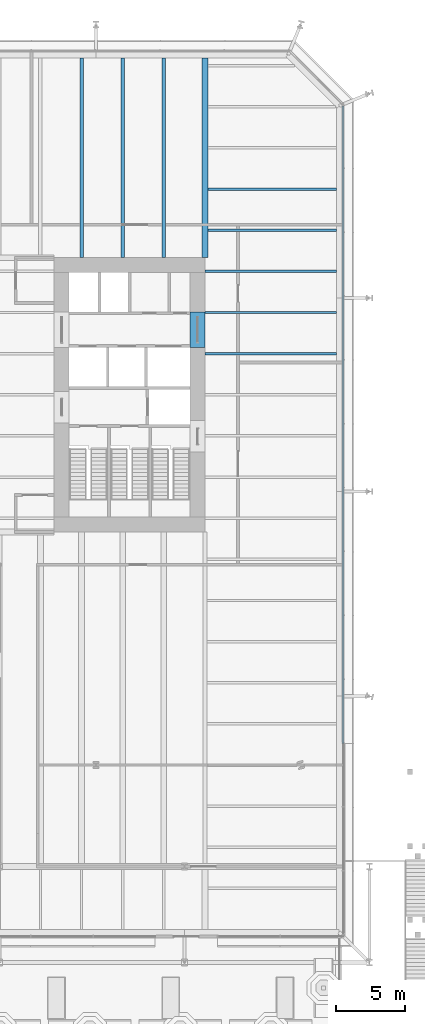
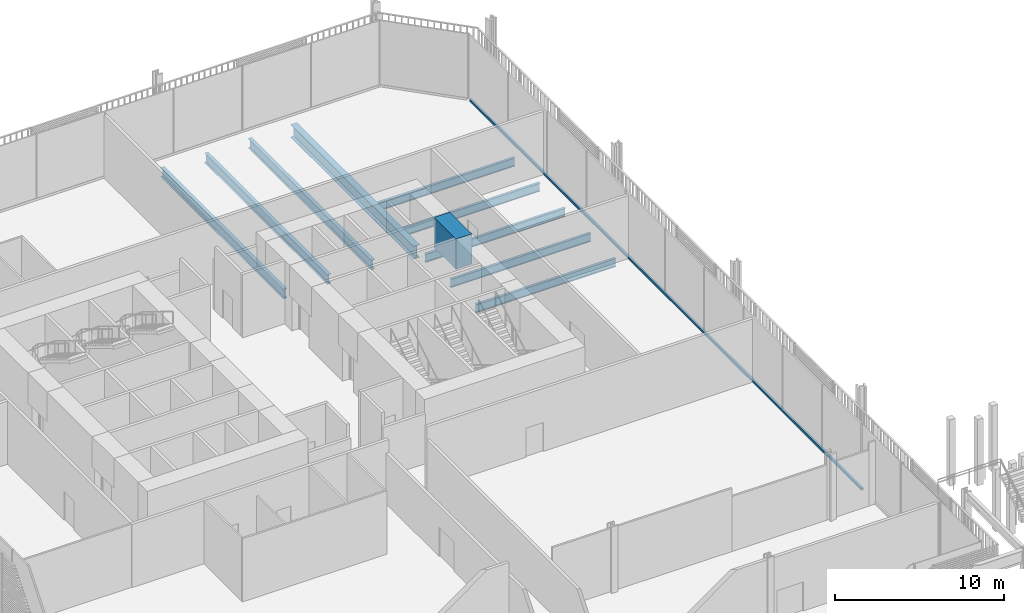
# One storey, part 12 of 25: 10 beams, 1 member, 1 element without a shape of its own.
"""IFC4 building model written with IfcOpenShell, lengths in metres."""

import ifcopenshell
import ifcopenshell.guid

model = None  # the IFC model being written
_history = None  # IfcOwnerHistory: only IFC2X3 demands one
_inside = {}  # id of a spatial element -> (the spatial element, [elements in it])
_under = {}  # id of a project, library or spatial element -> (it, [spatial elements below it])
_declared = {}  # id of a project -> (the project, [libraries it declares])
_typed = {}  # id of a type object -> (the type object, [elements of that type])
_made_of = {}  # id of a material, layer set ... -> (it, [elements and type objects made of it])


def new_model(schema):
    """Start an empty IFC model of exactly this schema.

    Asked for "IFC4X3", IfcOpenShell would pick the latest addendum, in which some entities
    have other attributes; the version numbers below select the first issue.
    IFC2X3 requires an IfcOwnerHistory on every rooted entity: one is made here for all.
    """
    global model, _history
    if schema == "IFC4X3":
        model = ifcopenshell.file(schema_version=(4, 3, 0, 0))
    else:
        model = ifcopenshell.file(schema=schema)
    _inside.clear()
    _under.clear()
    _declared.clear()
    _typed.clear()
    _made_of.clear()
    _history = None
    if model.schema == "IFC2X3":
        org = make("IfcOrganization", Name="unknown")
        user = make(
            "IfcPersonAndOrganization",
            ThePerson=make("IfcPerson", FamilyName="unknown"),
            TheOrganization=org,
        )
        app = make(
            "IfcApplication",
            ApplicationDeveloper=org,
            Version="unknown",
            ApplicationFullName="unknown",
            ApplicationIdentifier="unknown",
        )
        _history = make(
            "IfcOwnerHistory",
            OwningUser=user,
            OwningApplication=app,
            ChangeAction="ADDED",
            CreationDate=0,
        )
    return model


def make(cls, **values):
    """One entity of the class cls with the attributes given. An attribute that is None is left unset."""
    return model.create_entity(
        cls, **{name: value for name, value in values.items() if value is not None}
    )


def rooted(cls, **values):
    """An entity with a GlobalId (a new one), such as an element, a storey or a relation."""
    return make(cls, GlobalId=ifcopenshell.guid.new(), OwnerHistory=_history, **values)


def si_unit(unit_type, name, prefix=None):
    """IfcSIUnit, for example si_unit("LENGTHUNIT", "METRE", prefix="MILLI")."""
    return make("IfcSIUnit", UnitType=unit_type, Prefix=prefix, Name=name)


def assignment(units):
    """IfcUnitAssignment: the units of a project."""
    return None if units is None else make("IfcUnitAssignment", Units=units)


def point(xyz):
    """IfcCartesianPoint."""
    return None if xyz is None else make("IfcCartesianPoint", Coordinates=xyz)


def direction(xyz):
    """IfcDirection."""
    return None if xyz is None else make("IfcDirection", DirectionRatios=xyz)


def frame(location, z_axis=None, x_axis=None):
    """IfcAxis2Placement3D, a coordinate frame: its origin and axes. An axis left out is left unset."""
    return make(
        "IfcAxis2Placement3D",
        Location=point(location),
        Axis=direction(z_axis),
        RefDirection=direction(x_axis),
    )


def frame_2d(location, x_axis=None):
    """IfcAxis2Placement2D, a coordinate frame in the plane: its origin and x axis."""
    return make(
        "IfcAxis2Placement2D", Location=point(location), RefDirection=direction(x_axis)
    )


def origin():
    """The frame at (0, 0, 0) with its axes left unset."""
    return frame((0.0, 0.0, 0.0))


def origin_2d():
    """The frame at (0, 0) in the plane with its x axis left unset."""
    return frame_2d((0.0, 0.0))


def place(relative_to, where):
    """IfcLocalPlacement: puts the frame where relative to a parent placement (None: the world)."""
    return make(
        "IfcLocalPlacement", PlacementRelTo=relative_to, RelativePlacement=where
    )


def context(
    kind, dimensions, precision=None, world=None, true_north=None, identifier=None
):
    """IfcGeometricRepresentationContext, for example the 3D "Model" context."""
    return make(
        "IfcGeometricRepresentationContext",
        ContextIdentifier=identifier,
        ContextType=kind,
        CoordinateSpaceDimension=dimensions,
        Precision=precision,
        WorldCoordinateSystem=world,
        TrueNorth=true_north,
    )


def subcontext(parent, identifier, kind, view, scale=None):
    """IfcGeometricRepresentationSubContext, for example "Body" below "Model"."""
    return make(
        "IfcGeometricRepresentationSubContext",
        ContextIdentifier=identifier,
        ContextType=kind,
        ParentContext=parent,
        TargetScale=scale,
        TargetView=view,
    )


def project(units=None, contexts=None):
    """IfcProject with its units and contexts."""
    return rooted(
        "IfcProject",
        Name="project",
        RepresentationContexts=contexts,
        UnitsInContext=assignment(units),
    )


def spatial(cls, under=None, at=None, **own):
    """A site, building, storey or space (cls), placed at a placement, below another one or the project."""
    s = rooted(cls, ObjectPlacement=at, **own)
    if under is not None:
        _under.setdefault(under.id(), (under, []))[1].append(s)
    return s


def profile(cls, at=None, kind="AREA", **sizes):
    """A parametric profile (cls). Its sizes go by their IFC names, for example OverallWidth=200.0."""
    return make(cls, ProfileType=kind, Position=at, **sizes)


def rectangle(**sizes):
    """IfcRectangleProfileDef."""
    return profile("IfcRectangleProfileDef", **sizes)


def i_section(**sizes):
    """IfcIShapeProfileDef."""
    return profile("IfcIShapeProfileDef", **sizes)


def extrude(swept, where, along, depth):
    """IfcExtrudedAreaSolid: the profile swept, set in the frame where, extruded along a direction by depth."""
    return make(
        "IfcExtrudedAreaSolid",
        SweptArea=swept,
        Position=where,
        ExtrudedDirection=direction(along),
        Depth=depth,
    )


def shape(context_of_items, identifier, shape_type, items):
    """IfcShapeRepresentation: the items that make up one representation, for example the "Body"."""
    return make(
        "IfcShapeRepresentation",
        ContextOfItems=context_of_items,
        RepresentationIdentifier=identifier,
        RepresentationType=shape_type,
        Items=items,
    )


def material(Name=None, Category=None):
    """IfcMaterial."""
    return make("IfcMaterial", Name=Name, Category=Category)


def layer(
    of_material, thickness, ventilated=None, Name=None, Category=None, Priority=None
):
    """IfcMaterialLayer: one layer of a wall or slab, of a material (None: an air gap)."""
    return make(
        "IfcMaterialLayer",
        Material=of_material,
        LayerThickness=thickness,
        IsVentilated=ventilated,
        Name=Name,
        Category=Category,
        Priority=Priority,
    )


def layer_set(layers, Name=None):
    """IfcMaterialLayerSet."""
    return make("IfcMaterialLayerSet", MaterialLayers=layers, LayerSetName=Name)


def material_profile(
    of_material, cross_section, Name=None, Category=None, Priority=None
):
    """IfcMaterialProfile: a cross section and its material."""
    return make(
        "IfcMaterialProfile",
        Name=Name,
        Material=of_material,
        Profile=cross_section,
        Priority=Priority,
        Category=Category,
    )


def profile_set(profiles, Name=None, composite=None):
    """IfcMaterialProfileSet."""
    return make(
        "IfcMaterialProfileSet",
        Name=Name,
        MaterialProfiles=profiles,
        CompositeProfile=composite,
    )


def made_of(thing, what):
    """Note that an element or type object is made of a material, layer set ...; save() writes the relation."""
    if what is not None:
        _made_of.setdefault(what.id(), (what, []))[1].append(thing)
    return thing


def type_object(cls, material=None, **own):
    """A type object (cls), such as IfcWallType, which elements share."""
    return made_of(rooted(cls, **own), material)


def element(
    cls,
    number,
    at=None,
    inside=None,
    cuts=None,
    type_object=None,
    material=None,
    context=None,
    identifier="Body",
    shape_type=None,
    held_by="IfcProductDefinitionShape",
    body=None,
    shapes=None,
    **own,
):
    """One element of the class cls, such as IfcWall. Its Tag is "e" and its number.

    at: its placement. inside: the storey or other place that contains it. cuts: it is an
    opening in that element (IfcRelVoidsElement). A single representation is given by context,
    identifier, shape_type and body (its items); several are given by shapes. held_by: the class
    of the entity that holds the representations. save() writes the other relations.
    """
    e = rooted(cls, Tag="e%d" % number, ObjectPlacement=at, **own)
    if body is not None:
        shapes = [shape(context, identifier, shape_type, body)]
    if shapes is not None:
        e.Representation = make(held_by, Representations=shapes)
    if inside is not None:
        _inside.setdefault(inside.id(), (inside, []))[1].append(e)
    if cuts is not None:
        rooted(
            "IfcRelVoidsElement", RelatingBuildingElement=cuts, RelatedOpeningElement=e
        )
    if type_object is not None:
        _typed.setdefault(type_object.id(), (type_object, []))[1].append(e)
    return made_of(e, material)


def aggregate(whole, parts):
    """IfcRelAggregates: a whole, such as a stair, and the parts it consists of."""
    return rooted("IfcRelAggregates", RelatingObject=whole, RelatedObjects=parts)


def save(model, path):
    """Write the relations noted so far, then the file.

    IfcRelAggregates (storeys below a building ...), IfcRelContainedInSpatialStructure (elements
    in a storey), IfcRelDefinesByType, IfcRelAssociatesMaterial and IfcRelDeclares: one each for
    every whole, place, type object, material and project.
    """
    for whole, parts in _under.values():
        aggregate(whole, parts)
    for where, things in _inside.values():
        rooted(
            "IfcRelContainedInSpatialStructure",
            RelatedElements=things,
            RelatingStructure=where,
        )
    for kind, things in _typed.values():
        rooted("IfcRelDefinesByType", RelatedObjects=things, RelatingType=kind)
    for what, things in _made_of.values():
        rooted("IfcRelAssociatesMaterial", RelatedObjects=things, RelatingMaterial=what)
    for by, libraries in _declared.values():
        rooted("IfcRelDeclares", RelatingContext=by, RelatedDefinitions=libraries)
    model.write(path)


model = new_model("IFC4")

# Units and contexts
model_context = context("Model", 3, precision=1e-05, world=origin(), true_north=direction((0.0, 1.0)))
body_context = subcontext(model_context, "Body", "Model", "MODEL_VIEW")
ifc_project = project(units=[si_unit("LENGTHUNIT", "METRE"), si_unit("AREAUNIT", "SQUARE_METRE"), si_unit("VOLUMEUNIT", "CUBIC_METRE"), si_unit("PLANEANGLEUNIT", "RADIAN"), si_unit("MASSUNIT", "GRAM", prefix="KILO")], contexts=[model_context])

# Site, building, storey
site_placement = place(None, origin())
site = spatial("IfcSite", under=ifc_project, at=site_placement, CompositionType="ELEMENT")
building_placement = place(site_placement, origin())
building = spatial("IfcBuilding", under=site, at=building_placement, Name="Millrace Tower", CompositionType="ELEMENT")
storey_placement = place(building_placement, frame((0.0, 0.0, 6.5)))
storey = spatial("IfcBuildingStorey", under=building, at=storey_placement, Name="L02", CompositionType="ELEMENT", Elevation=6.5)

# Curtain wall, member
ifc_material_1 = material(Name="Aluminium and glass", Category="aluminium")
ifc_layer = layer(ifc_material_1, 0.14990234375)
ifc_layer_set = layer_set([ifc_layer], Name="Aluminium and glass")
curtain_wall_type = type_object("IfcCurtainWallType", Name="CW-2 data hall insulated curtain wall", PredefinedType="NOTDEFINED", material=ifc_layer_set)
curtain_wall_placement = place(storey_placement, origin())
curtain_wall = element("IfcCurtainWall", 1, at=curtain_wall_placement, inside=storey, type_object=curtain_wall_type, Name="Curtain wall AW2-F02 L02 CW2", PredefinedType="NOTDEFINED")
ifc_material_2 = material(Name="Aluminium", Category="aluminium")
ifc_material_profile_1 = material_profile(ifc_material_2, rectangle(XDim=0.14990234375, YDim=0.159912109375, at=origin_2d()))
ifc_profile_set_1 = profile_set([ifc_material_profile_1], Name="Aluminium")
member_type = type_object("IfcMemberType", Name="CW-2 data hall insulated curtain wall transom", PredefinedType="USERDEFINED", material=ifc_profile_set_1)
member_placement = place(storey_placement, frame((25.074951171875, -25.427001953125, 0.080078125), z_axis=(0.0, 1.0, 0.0), x_axis=(-1.0, 0.0, 0.0)))
member = element("IfcMember", 2, at=member_placement, type_object=member_type, Name="CW2 transom AW2-F02.2", ObjectType="TRANSOM", PredefinedType="USERDEFINED", context=body_context, shape_type="SweptSolid", body=[
    extrude(rectangle(XDim=0.14990234375, YDim=0.159912109375, at=origin_2d()), origin(), (0.0, 0.0, 1.0), 46.47705078125),
])
aggregate(curtain_wall, [member])

# Beams
ifc_material_3 = material(Name="Concrete C80", Category="concrete")
ifc_material_profile_2 = material_profile(ifc_material_3, rectangle(XDim=1.10009765625, YDim=2.175048828125, at=origin_2d()))
ifc_profile_set_2 = profile_set([ifc_material_profile_2], Name="Concrete C80")
beam_type_1 = type_object("IfcBeamType", Name="Coupling beam 1100 x 2175 Concrete C80, 2000 opening", PredefinedType="BEAM", material=ifc_profile_set_2)
beam_1_placement = place(storey_placement, frame((14.449951171875, 6.050048828125, 3.487548828125), z_axis=(0.0, -1.0, 0.0), x_axis=(1.0, 0.0, 0.0)))
element("IfcBeam", 3, at=beam_1_placement, inside=storey, type_object=beam_type_1, Name="Coupling beam E L02", PredefinedType="BEAM", context=body_context, shape_type="SweptSolid", body=[
    extrude(rectangle(XDim=1.10009765625, YDim=2.175048828125, at=origin_2d()), origin(), (0.0, 0.0, 1.0), 2.60009765625),
])
ifc_material_4 = material(Name="Steel ASTM A992 Grade 50", Category="steel")
ifc_material_profile_3 = material_profile(ifc_material_4, i_section(OverallWidth=0.1787109375, OverallDepth=0.60205078125, WebThickness=0.010986328125, FlangeThickness=0.014892578125, FilletRadius=0.0126953125, at=origin_2d()))
ifc_profile_set_3 = profile_set([ifc_material_profile_3], Name="Steel ASTM A992 Grade 50")
beam_type_2 = type_object("IfcBeamType", Name="Floor beam W24x62", PredefinedType="JOIST", material=ifc_profile_set_3)
for number, where, z_axis, x_axis, name in (
    (4, (15.0, 3.0, -0.52587890625), (1.0, 0.0, 0.0), (0.0, 1.0, 0.0), "BM-A-L02-S1-S035"),
    (5, (15.0, 6.0, -0.52587890625), (1.0, 0.0, 0.0), (0.0, 1.0, 0.0), "BM-A-L02-S1-S038"),
    (6, (15.0, 9.0, -0.52587890625), (1.0, 0.0, 0.0), (0.0, 1.0, 0.0), "BM-A-L02-S1-S041"),
):
    element("IfcBeam", number, at=place(storey_placement, frame(where, z_axis=z_axis, x_axis=x_axis)), inside=storey, type_object=beam_type_2, Name=name, PredefinedType="JOIST", context=body_context, shape_type="SweptSolid", body=[
        extrude(i_section(OverallWidth=0.1787109375, OverallDepth=0.60205078125, WebThickness=0.010986328125, FlangeThickness=0.014892578125, FilletRadius=0.0126953125, at=origin_2d()), origin(), (0.0, 0.0, 1.0), 9.578369140625),
    ])
for number, where, z_axis, x_axis, name in (
    (7, (15.212158203125, 12.0, -0.52587890625), (1.0, 0.0, 0.0), (0.0, 1.0, 0.0), "BM-A-L02-S1-S043"),
    (8, (15.212158203125, 15.0, -0.52587890625), (1.0, 0.0, 0.0), (0.0, 1.0, 0.0), "BM-A-L02-S1-S045"),
):
    element("IfcBeam", number, at=place(storey_placement, frame(where, z_axis=z_axis, x_axis=x_axis)), inside=storey, type_object=beam_type_2, Name=name, PredefinedType="JOIST", context=body_context, shape_type="SweptSolid", body=[
        extrude(i_section(OverallWidth=0.1787109375, OverallDepth=0.60205078125, WebThickness=0.010986328125, FlangeThickness=0.014892578125, FilletRadius=0.0126953125, at=origin_2d()), origin(), (0.0, 0.0, 1.0), 9.3662109375),
    ])
ifc_material_5 = material(Name="Steel ASTM A992 Grade 50", Category="steel")
ifc_material_profile_4 = material_profile(ifc_material_5, i_section(OverallWidth=0.256591796875, OverallDepth=0.693359375, WebThickness=0.014404296875, FlangeThickness=0.023681640625, FilletRadius=0.01513671875, at=origin_2d()))
ifc_profile_set_4 = profile_set([ifc_material_profile_4], Name="Steel ASTM A992 Grade 50")
beam_type_3 = type_object("IfcBeamType", Name="Floor beam W27x114", PredefinedType="JOIST", material=ifc_profile_set_4)
for number, where, z_axis, x_axis, name in (
    (9, (6.0, 10.0, -0.57177734375), (0.0, 1.0, 0.0), (-1.0, 0.0, 0.0), "BM-A-L02-S1-S070"),
    (10, (9.0, 10.0, -0.57177734375), (0.0, 1.0, 0.0), (-1.0, 0.0, 0.0), "BM-A-L02-S1-S073"),
    (11, (12.0, 10.0, -0.57177734375), (0.0, 1.0, 0.0), (-1.0, 0.0, 0.0), "BM-A-L02-S1-S076"),
):
    element("IfcBeam", number, at=place(storey_placement, frame(where, z_axis=z_axis, x_axis=x_axis)), inside=storey, type_object=beam_type_3, Name=name, PredefinedType="JOIST", context=body_context, shape_type="SweptSolid", body=[
        extrude(i_section(OverallWidth=0.256591796875, OverallDepth=0.693359375, WebThickness=0.014404296875, FlangeThickness=0.023681640625, FilletRadius=0.01513671875, at=origin_2d()), origin(), (0.0, 0.0, 1.0), 14.578369140625),
    ])
ifc_material_6 = material(Name="Steel ASTM A992 Grade 50", Category="steel")
ifc_material_profile_5 = material_profile(ifc_material_6, i_section(OverallWidth=0.424072265625, OverallDepth=0.947509765625, WebThickness=0.02392578125, FlangeThickness=0.042724609375, FilletRadius=0.024169921875, at=origin_2d()))
ifc_profile_set_5 = profile_set([ifc_material_profile_5], Name="Steel ASTM A992 Grade 50")
beam_type_4 = type_object("IfcBeamType", Name="Girder medium span W36x302", PredefinedType="BEAM", material=ifc_profile_set_5)
beam_2_placement = place(storey_placement, frame((15.0, 10.0, -0.69873046875), z_axis=(0.0, 1.0, 0.0), x_axis=(-1.0, 0.0, 0.0)))
element("IfcBeam", 12, at=beam_2_placement, inside=storey, type_object=beam_type_4, Name="BM-A-L02-S1-G082", PredefinedType="BEAM", context=body_context, shape_type="SweptSolid", body=[
    extrude(i_section(OverallWidth=0.424072265625, OverallDepth=0.947509765625, WebThickness=0.02392578125, FlangeThickness=0.042724609375, FilletRadius=0.024169921875, at=origin_2d()), origin(), (0.0, 0.0, 1.0), 14.578369140625),
])

save(model, "model.ifc")
